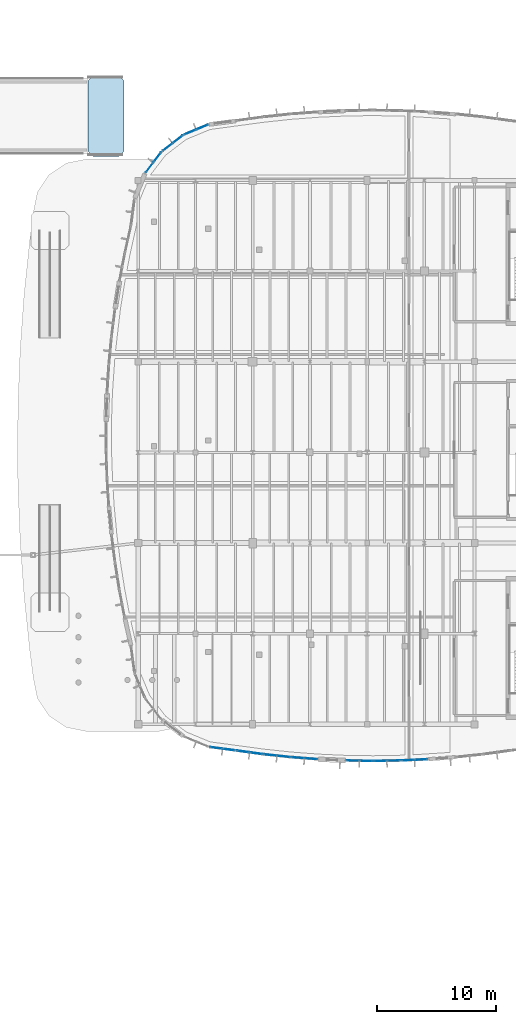
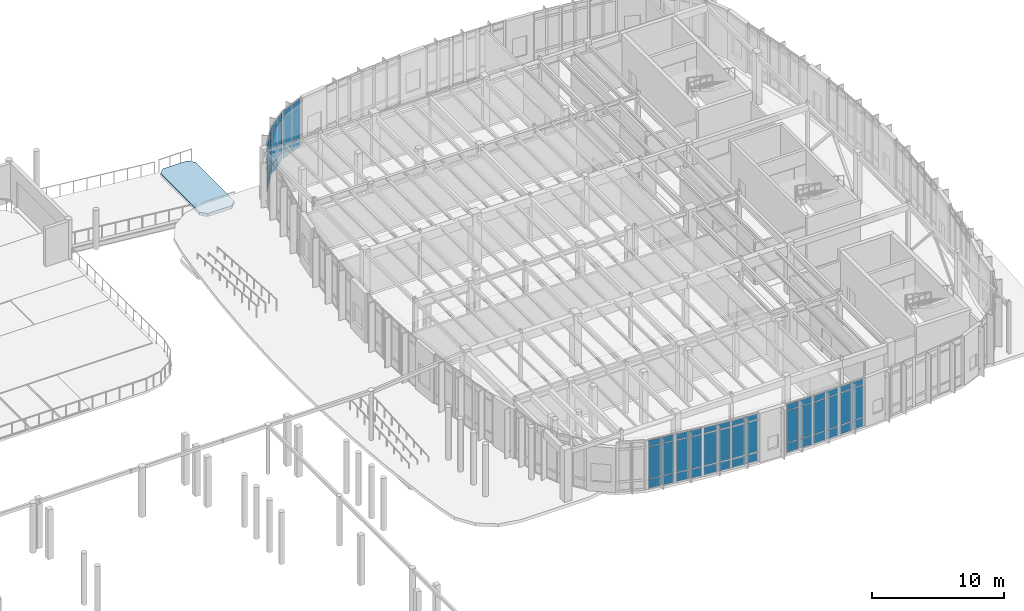
# One storey, part 82 of 120: 60 plates, 1 slab, 10 elements without a shape of their own.
"""IFC4 building model written with IfcOpenShell, lengths in metres."""

from ifc_helpers import new_model, si_unit, direction, frame, origin, origin_2d, place, context, subcontext, project, spatial, polyline, rectangle, outline, extrude, material, layer, layer_set, type_object, element, aggregate, save


model = new_model("IFC4")

# Units and contexts
model_context = context("Model", 3, precision=1e-05, world=origin(), true_north=direction((0.0, 1.0)))
body_context = subcontext(model_context, "Body", "Model", "MODEL_VIEW")
ifc_project = project(units=[si_unit("LENGTHUNIT", "METRE"), si_unit("AREAUNIT", "SQUARE_METRE"), si_unit("VOLUMEUNIT", "CUBIC_METRE"), si_unit("PLANEANGLEUNIT", "RADIAN"), si_unit("MASSUNIT", "GRAM", prefix="KILO")], contexts=[model_context])

# Site, building, storey
site_placement = place(None, origin())
site = spatial("IfcSite", under=ifc_project, at=site_placement, CompositionType="ELEMENT")
building_placement = place(site_placement, origin())
building = spatial("IfcBuilding", under=site, at=building_placement, Name="Corveleigh Park Community Centre", CompositionType="ELEMENT")
storey_placement = place(building_placement, origin())
storey = spatial("IfcBuildingStorey", under=building, at=storey_placement, Name="L00", CompositionType="ELEMENT", Elevation=0.0)

# Curtain wall, plates
ifc_material_1 = material(Name="Anodised aluminium 6063-T6", Category="aluminium")
curtain_wall_type = type_object("IfcCurtainWallType", Name="CW-SYS-V4-L00", PredefinedType="NOTDEFINED", material=ifc_material_1)
curtain_wall_1_placement = place(storey_placement, origin())
curtain_wall_1 = element("IfcCurtainWall", 1, at=curtain_wall_1_placement, inside=storey, type_object=curtain_wall_type, Name="V4 L00 Curtain Wall 109", PredefinedType="NOTDEFINED")
ifc_material_2 = material(Name="Low-E double glazing", Category="glass")
ifc_layer_1 = layer(ifc_material_2, 0.02392578125, Name="Low-E double glazing", Category="glass")
ifc_layer_set_1 = layer_set([ifc_layer_1], Name="Low-E double glazing")
plate_type_1 = type_object("IfcPlateType", Name="CWP-GLZ-24", PredefinedType="CURTAIN_PANEL", material=ifc_layer_set_1)
plate_1_placement = place(storey_placement, frame((141.989501953125, 55.9033203125, 0.074951171875), z_axis=(0.0, 0.0, 1.0), x_axis=(-0.994358586711, 0.106070735992, 0.0)))
plate_1 = element("IfcPlate", 2, at=plate_1_placement, type_object=plate_type_1, Name="CW07 panel 1.1", PredefinedType="CURTAIN_PANEL", context=body_context, shape_type="SweptSolid", body=[
    extrude(rectangle(XDim=1.055419921875, YDim=0.02392578125, at=origin_2d()), origin(), (0.0, 0.0, 1.0), 0.78759765625),
])
plate_2_placement = place(storey_placement, frame((141.989501953125, 55.9033203125, 0.9375), z_axis=(0.0, 0.0, 1.0), x_axis=(-0.994358586711, 0.106070735992, 0.0)))
plate_2 = element("IfcPlate", 3, at=plate_2_placement, type_object=plate_type_1, Name="CW07 panel 1.2", PredefinedType="CURTAIN_PANEL", context=body_context, shape_type="SweptSolid", body=[
    extrude(rectangle(XDim=1.055419921875, YDim=0.02392578125, at=origin_2d()), origin(), (0.0, 0.0, 1.0), 2.912109375),
])
plate_3_placement = place(storey_placement, frame((141.989501953125, 55.9033203125, 3.924560546875), z_axis=(0.0, 0.0, 1.0), x_axis=(-0.994358586711, 0.106070735992, 0.0)))
plate_3 = element("IfcPlate", 4, at=plate_3_placement, type_object=plate_type_1, Name="CW07 panel 1.3", PredefinedType="CURTAIN_PANEL", context=body_context, shape_type="SweptSolid", body=[
    extrude(rectangle(XDim=1.055419921875, YDim=0.02392578125, at=origin_2d()), origin(), (0.0, 0.0, 1.0), 0.53759765625),
])
plate_4_placement = place(storey_placement, frame((140.88037109375, 56.021728515625, 0.074951171875), z_axis=(0.0, 0.0, 1.0), x_axis=(-0.994358586711, 0.106070735992, 0.0)))
plate_4 = element("IfcPlate", 5, at=plate_4_placement, type_object=plate_type_1, Name="CW07 panel 2.1", PredefinedType="CURTAIN_PANEL", context=body_context, shape_type="SweptSolid", body=[
    extrude(rectangle(XDim=1.055419921875, YDim=0.02392578125, at=origin_2d()), origin(), (0.0, 0.0, 1.0), 0.78759765625),
])
plate_5_placement = place(storey_placement, frame((140.88037109375, 56.021728515625, 0.9375), z_axis=(0.0, 0.0, 1.0), x_axis=(-0.994358586711, 0.106070735992, 0.0)))
plate_5 = element("IfcPlate", 6, at=plate_5_placement, type_object=plate_type_1, Name="CW07 panel 2.2", PredefinedType="CURTAIN_PANEL", context=body_context, shape_type="SweptSolid", body=[
    extrude(rectangle(XDim=1.055419921875, YDim=0.02392578125, at=origin_2d()), origin(), (0.0, 0.0, 1.0), 2.912109375),
])
plate_6_placement = place(storey_placement, frame((140.88037109375, 56.021728515625, 3.924560546875), z_axis=(0.0, 0.0, 1.0), x_axis=(-0.994358586711, 0.106070735992, 0.0)))
plate_6 = element("IfcPlate", 7, at=plate_6_placement, type_object=plate_type_1, Name="CW07 panel 2.3", PredefinedType="CURTAIN_PANEL", context=body_context, shape_type="SweptSolid", body=[
    extrude(rectangle(XDim=1.055419921875, YDim=0.02392578125, at=origin_2d()), origin(), (0.0, 0.0, 1.0), 0.53759765625),
])
aggregate(curtain_wall_1, [plate_1, plate_2, plate_3, plate_4, plate_5, plate_6])

curtain_wall_2_placement = place(storey_placement, origin())
curtain_wall_2 = element("IfcCurtainWall", 8, at=curtain_wall_2_placement, inside=storey, type_object=curtain_wall_type, Name="V4 L00 Curtain Wall 110", PredefinedType="NOTDEFINED")
plate_7_placement = place(storey_placement, frame((144.288818359375, 55.71044921875, 0.080078125), z_axis=(0.0, 0.0, 1.0), x_axis=(-0.997143684467, 0.075527958586, 0.0)))
plate_7 = element("IfcPlate", 9, at=plate_7_placement, type_object=plate_type_1, Name="CW07 panel 1.1", PredefinedType="CURTAIN_PANEL", context=body_context, shape_type="SweptSolid", body=[
    extrude(rectangle(XDim=1.0478515625, YDim=0.02392578125, at=origin_2d()), origin(), (0.0, 0.0, 1.0), 0.780029296875),
])
plate_8_placement = place(storey_placement, frame((144.288818359375, 55.71044921875, 0.93994140625), z_axis=(0.0, 0.0, 1.0), x_axis=(-0.997143684467, 0.075527958586, 0.0)))
plate_8 = element("IfcPlate", 10, at=plate_8_placement, type_object=plate_type_1, Name="CW07 panel 1.2", PredefinedType="CURTAIN_PANEL", context=body_context, shape_type="SweptSolid", body=[
    extrude(rectangle(XDim=1.0478515625, YDim=0.02392578125, at=origin_2d()), origin(), (0.0, 0.0, 1.0), 2.906982421875),
])
plate_9_placement = place(storey_placement, frame((144.288818359375, 55.71044921875, 3.9267578125), z_axis=(0.0, 0.0, 1.0), x_axis=(-0.997143684467, 0.075527958586, 0.0)))
plate_9 = element("IfcPlate", 11, at=plate_9_placement, type_object=plate_type_1, Name="CW07 panel 1.3", PredefinedType="CURTAIN_PANEL", context=body_context, shape_type="SweptSolid", body=[
    extrude(rectangle(XDim=1.0478515625, YDim=0.02392578125, at=origin_2d()), origin(), (0.0, 0.0, 1.0), 0.530029296875),
])
plate_10_placement = place(storey_placement, frame((143.17919921875, 55.79443359375, 0.080078125), z_axis=(0.0, 0.0, 1.0), x_axis=(-0.997143684467, 0.075527958586, 0.0)))
plate_10 = element("IfcPlate", 12, at=plate_10_placement, type_object=plate_type_1, Name="CW07 panel 2.1", PredefinedType="CURTAIN_PANEL", context=body_context, shape_type="SweptSolid", body=[
    extrude(rectangle(XDim=1.0478515625, YDim=0.02392578125, at=origin_2d()), origin(), (0.0, 0.0, 1.0), 0.780029296875),
])
plate_11_placement = place(storey_placement, frame((143.17919921875, 55.79443359375, 0.93994140625), z_axis=(0.0, 0.0, 1.0), x_axis=(-0.997143684467, 0.075527958586, 0.0)))
plate_11 = element("IfcPlate", 13, at=plate_11_placement, type_object=plate_type_1, Name="CW07 panel 2.2", PredefinedType="CURTAIN_PANEL", context=body_context, shape_type="SweptSolid", body=[
    extrude(rectangle(XDim=1.0478515625, YDim=0.02392578125, at=origin_2d()), origin(), (0.0, 0.0, 1.0), 2.906982421875),
])
plate_12_placement = place(storey_placement, frame((143.17919921875, 55.79443359375, 3.9267578125), z_axis=(0.0, 0.0, 1.0), x_axis=(-0.997143684467, 0.075527958586, 0.0)))
plate_12 = element("IfcPlate", 14, at=plate_12_placement, type_object=plate_type_1, Name="CW07 panel 2.3", PredefinedType="CURTAIN_PANEL", context=body_context, shape_type="SweptSolid", body=[
    extrude(rectangle(XDim=1.0478515625, YDim=0.02392578125, at=origin_2d()), origin(), (0.0, 0.0, 1.0), 0.530029296875),
])
aggregate(curtain_wall_2, [plate_7, plate_8, plate_9, plate_10, plate_11, plate_12])

curtain_wall_3_placement = place(storey_placement, origin())
curtain_wall_3 = element("IfcCurtainWall", 15, at=curtain_wall_3_placement, inside=storey, type_object=curtain_wall_type, Name="V4 L00 Curtain Wall 111", PredefinedType="NOTDEFINED")
ifc_layer_2 = layer(ifc_material_2, 0.028076171875, Name="Low-E double glazing", Category="glass")
ifc_layer_set_2 = layer_set([ifc_layer_2], Name="Low-E double glazing")
plate_type_2 = type_object("IfcPlateType", Name="CWP-GLZ-28", PredefinedType="CURTAIN_PANEL", material=ifc_layer_set_2)
plate_13_placement = place(storey_placement, frame((148.900634765625, 55.533203125, 0.06005859375), z_axis=(0.0, 0.0, 1.0), x_axis=(-0.999876563269, 0.01571172252, 0.0)))
plate_13 = element("IfcPlate", 16, at=plate_13_placement, type_object=plate_type_2, Name="CW07 panel 1.1", PredefinedType="CURTAIN_PANEL", context=body_context, shape_type="SweptSolid", body=[
    extrude(rectangle(XDim=1.04052734375, YDim=0.028076171875, at=origin_2d()), origin(), (0.0, 0.0, 1.0), 0.81005859375),
])
plate_14_placement = place(storey_placement, frame((148.900634765625, 55.533203125, 0.93017578125), z_axis=(0.0, 0.0, 1.0), x_axis=(-0.999876563269, 0.01571172252, 0.0)))
plate_14 = element("IfcPlate", 17, at=plate_14_placement, type_object=plate_type_2, Name="CW07 panel 1.2", PredefinedType="CURTAIN_PANEL", context=body_context, shape_type="SweptSolid", body=[
    extrude(rectangle(XDim=1.04052734375, YDim=0.028076171875, at=origin_2d()), origin(), (0.0, 0.0, 1.0), 2.927001953125),
])
plate_15_placement = place(storey_placement, frame((148.900634765625, 55.533203125, 3.9169921875), z_axis=(0.0, 0.0, 1.0), x_axis=(-0.999876563269, 0.01571172252, 0.0)))
plate_15 = element("IfcPlate", 18, at=plate_15_placement, type_object=plate_type_2, Name="CW07 panel 1.3", PredefinedType="CURTAIN_PANEL", context=body_context, shape_type="SweptSolid", body=[
    extrude(rectangle(XDim=1.04052734375, YDim=0.028076171875, at=origin_2d()), origin(), (0.0, 0.0, 1.0), 0.56005859375),
])
plate_16_placement = place(storey_placement, frame((147.790283203125, 55.55078125, 0.06005859375), z_axis=(0.0, 0.0, 1.0), x_axis=(-0.999876563269, 0.01571172252, 0.0)))
plate_16 = element("IfcPlate", 19, at=plate_16_placement, type_object=plate_type_2, Name="CW07 panel 2.1", PredefinedType="CURTAIN_PANEL", context=body_context, shape_type="SweptSolid", body=[
    extrude(rectangle(XDim=1.04052734375, YDim=0.028076171875, at=origin_2d()), origin(), (0.0, 0.0, 1.0), 0.81005859375),
])
plate_17_placement = place(storey_placement, frame((147.790283203125, 55.55078125, 0.93017578125), z_axis=(0.0, 0.0, 1.0), x_axis=(-0.999876563269, 0.01571172252, 0.0)))
plate_17 = element("IfcPlate", 20, at=plate_17_placement, type_object=plate_type_2, Name="CW07 panel 2.2", PredefinedType="CURTAIN_PANEL", context=body_context, shape_type="SweptSolid", body=[
    extrude(rectangle(XDim=1.04052734375, YDim=0.028076171875, at=origin_2d()), origin(), (0.0, 0.0, 1.0), 2.927001953125),
])
plate_18_placement = place(storey_placement, frame((147.790283203125, 55.55078125, 3.9169921875), z_axis=(0.0, 0.0, 1.0), x_axis=(-0.999876563269, 0.01571172252, 0.0)))
plate_18 = element("IfcPlate", 21, at=plate_18_placement, type_object=plate_type_2, Name="CW07 panel 2.3", PredefinedType="CURTAIN_PANEL", context=body_context, shape_type="SweptSolid", body=[
    extrude(rectangle(XDim=1.04052734375, YDim=0.028076171875, at=origin_2d()), origin(), (0.0, 0.0, 1.0), 0.56005859375),
])
aggregate(curtain_wall_3, [plate_13, plate_14, plate_15, plate_16, plate_17, plate_18])

curtain_wall_4_placement = place(storey_placement, origin())
curtain_wall_4 = element("IfcCurtainWall", 22, at=curtain_wall_4_placement, inside=storey, type_object=curtain_wall_type, Name="V4 L00 Curtain Wall 112", PredefinedType="NOTDEFINED")
plate_19_placement = place(storey_placement, frame((151.20849609375, 55.55078125, 0.06494140625), z_axis=(0.0, 0.0, 1.0), x_axis=(-0.999876563269, -0.01571172252, 0.0)))
plate_19 = element("IfcPlate", 23, at=plate_19_placement, type_object=plate_type_2, Name="CW07 panel 1.1", PredefinedType="CURTAIN_PANEL", context=body_context, shape_type="SweptSolid", body=[
    extrude(rectangle(XDim=1.033203125, YDim=0.028076171875, at=origin_2d()), origin(), (0.0, 0.0, 1.0), 0.802490234375),
])
plate_20_placement = place(storey_placement, frame((151.20849609375, 55.55078125, 0.9326171875), z_axis=(0.0, 0.0, 1.0), x_axis=(-0.999876563269, -0.01571172252, 0.0)))
plate_20 = element("IfcPlate", 24, at=plate_20_placement, type_object=plate_type_2, Name="CW07 panel 1.2", PredefinedType="CURTAIN_PANEL", context=body_context, shape_type="SweptSolid", body=[
    extrude(rectangle(XDim=1.033203125, YDim=0.028076171875, at=origin_2d()), origin(), (0.0, 0.0, 1.0), 2.922119140625),
])
plate_21_placement = place(storey_placement, frame((151.20849609375, 55.55078125, 3.91943359375), z_axis=(0.0, 0.0, 1.0), x_axis=(-0.999876563269, -0.01571172252, 0.0)))
plate_21 = element("IfcPlate", 25, at=plate_21_placement, type_object=plate_type_2, Name="CW07 panel 1.3", PredefinedType="CURTAIN_PANEL", context=body_context, shape_type="SweptSolid", body=[
    extrude(rectangle(XDim=1.033203125, YDim=0.028076171875, at=origin_2d()), origin(), (0.0, 0.0, 1.0), 0.552490234375),
])
plate_22_placement = place(storey_placement, frame((150.1005859375, 55.533203125, 0.06494140625), z_axis=(0.0, 0.0, 1.0), x_axis=(-0.999876563269, -0.01571172252, 0.0)))
plate_22 = element("IfcPlate", 26, at=plate_22_placement, type_object=plate_type_2, Name="CW07 panel 2.1", PredefinedType="CURTAIN_PANEL", context=body_context, shape_type="SweptSolid", body=[
    extrude(rectangle(XDim=1.033203125, YDim=0.028076171875, at=origin_2d()), origin(), (0.0, 0.0, 1.0), 0.802490234375),
])
plate_23_placement = place(storey_placement, frame((150.1005859375, 55.533203125, 0.9326171875), z_axis=(0.0, 0.0, 1.0), x_axis=(-0.999876563269, -0.01571172252, 0.0)))
plate_23 = element("IfcPlate", 27, at=plate_23_placement, type_object=plate_type_2, Name="CW07 panel 2.2", PredefinedType="CURTAIN_PANEL", context=body_context, shape_type="SweptSolid", body=[
    extrude(rectangle(XDim=1.033203125, YDim=0.028076171875, at=origin_2d()), origin(), (0.0, 0.0, 1.0), 2.922119140625),
])
plate_24_placement = place(storey_placement, frame((150.1005859375, 55.533203125, 3.91943359375), z_axis=(0.0, 0.0, 1.0), x_axis=(-0.999876563269, -0.01571172252, 0.0)))
plate_24 = element("IfcPlate", 28, at=plate_24_placement, type_object=plate_type_2, Name="CW07 panel 2.3", PredefinedType="CURTAIN_PANEL", context=body_context, shape_type="SweptSolid", body=[
    extrude(rectangle(XDim=1.033203125, YDim=0.028076171875, at=origin_2d()), origin(), (0.0, 0.0, 1.0), 0.552490234375),
])
aggregate(curtain_wall_4, [plate_19, plate_20, plate_21, plate_22, plate_23, plate_24])

curtain_wall_5_placement = place(storey_placement, origin())
curtain_wall_5 = element("IfcCurtainWall", 29, at=curtain_wall_5_placement, inside=storey, type_object=curtain_wall_type, Name="V4 L00 Curtain Wall 113", PredefinedType="NOTDEFINED")
ifc_layer_3 = layer(ifc_material_2, 0.031982421875, Name="Low-E double glazing", Category="glass")
ifc_layer_set_3 = layer_set([ifc_layer_3], Name="Low-E double glazing")
plate_type_3 = type_object("IfcPlateType", Name="CWP-GLZ-32", PredefinedType="CURTAIN_PANEL", material=ifc_layer_set_3)
plate_25_placement = place(storey_placement, frame((153.513916015625, 55.637939453125, 0.070068359375), z_axis=(0.0, 0.0, 1.0), x_axis=(-0.998948640502, -0.045843359805, 0.0)))
plate_25 = element("IfcPlate", 30, at=plate_25_placement, type_object=plate_type_3, Name="CW07 panel 1.1", PredefinedType="CURTAIN_PANEL", context=body_context, shape_type="SweptSolid", body=[
    extrude(rectangle(XDim=1.025146484375, YDim=0.031982421875, at=origin_2d()), origin(), (0.0, 0.0, 1.0), 0.794921875),
])
plate_26_placement = place(storey_placement, frame((153.513916015625, 55.637939453125, 0.93505859375), z_axis=(0.0, 0.0, 1.0), x_axis=(-0.998948640502, -0.045843359805, 0.0)))
plate_26 = element("IfcPlate", 31, at=plate_26_placement, type_object=plate_type_3, Name="CW07 panel 1.2", PredefinedType="CURTAIN_PANEL", context=body_context, shape_type="SweptSolid", body=[
    extrude(rectangle(XDim=1.025146484375, YDim=0.031982421875, at=origin_2d()), origin(), (0.0, 0.0, 1.0), 2.9169921875),
])
plate_27_placement = place(storey_placement, frame((153.513916015625, 55.637939453125, 3.922119140625), z_axis=(0.0, 0.0, 1.0), x_axis=(-0.998948640502, -0.045843359805, 0.0)))
plate_27 = element("IfcPlate", 32, at=plate_27_placement, type_object=plate_type_3, Name="CW07 panel 1.3", PredefinedType="CURTAIN_PANEL", context=body_context, shape_type="SweptSolid", body=[
    extrude(rectangle(XDim=1.025146484375, YDim=0.031982421875, at=origin_2d()), origin(), (0.0, 0.0, 1.0), 0.544921875),
])
plate_28_placement = place(storey_placement, frame((152.409912109375, 55.587158203125, 0.070068359375), z_axis=(0.0, 0.0, 1.0), x_axis=(-0.998948640502, -0.045843359805, 0.0)))
plate_28 = element("IfcPlate", 33, at=plate_28_placement, type_object=plate_type_3, Name="CW07 panel 2.1", PredefinedType="CURTAIN_PANEL", context=body_context, shape_type="SweptSolid", body=[
    extrude(rectangle(XDim=1.025146484375, YDim=0.031982421875, at=origin_2d()), origin(), (0.0, 0.0, 1.0), 0.794921875),
])
plate_29_placement = place(storey_placement, frame((152.409912109375, 55.587158203125, 0.93505859375), z_axis=(0.0, 0.0, 1.0), x_axis=(-0.998948640502, -0.045843359805, 0.0)))
plate_29 = element("IfcPlate", 34, at=plate_29_placement, type_object=plate_type_3, Name="CW07 panel 2.2", PredefinedType="CURTAIN_PANEL", context=body_context, shape_type="SweptSolid", body=[
    extrude(rectangle(XDim=1.025146484375, YDim=0.031982421875, at=origin_2d()), origin(), (0.0, 0.0, 1.0), 2.9169921875),
])
plate_30_placement = place(storey_placement, frame((152.409912109375, 55.587158203125, 3.922119140625), z_axis=(0.0, 0.0, 1.0), x_axis=(-0.998948640502, -0.045843359805, 0.0)))
plate_30 = element("IfcPlate", 35, at=plate_30_placement, type_object=plate_type_3, Name="CW07 panel 2.3", PredefinedType="CURTAIN_PANEL", context=body_context, shape_type="SweptSolid", body=[
    extrude(rectangle(XDim=1.025146484375, YDim=0.031982421875, at=origin_2d()), origin(), (0.0, 0.0, 1.0), 0.544921875),
])
aggregate(curtain_wall_5, [plate_25, plate_26, plate_27, plate_28, plate_29, plate_30])

curtain_wall_6_placement = place(storey_placement, origin())
curtain_wall_6 = element("IfcCurtainWall", 36, at=curtain_wall_6_placement, inside=storey, type_object=curtain_wall_type, Name="V4 L00 Curtain Wall 161", PredefinedType="NOTDEFINED")
plate_31_placement = place(storey_placement, frame((137.413330078125, 56.477294921875, 0.06005859375), z_axis=(0.0, 0.0, 1.0), x_axis=(-0.991431673383, 0.130626325881, 0.0)))
plate_31 = element("IfcPlate", 37, at=plate_31_placement, type_object=plate_type_3, Name="CW07 panel 1.1", PredefinedType="CURTAIN_PANEL", context=body_context, shape_type="SweptSolid", body=[
    extrude(rectangle(XDim=1.00927734375, YDim=0.031982421875, at=origin_2d()), origin(), (0.0, 0.0, 1.0), 0.81005859375),
])
plate_32_placement = place(storey_placement, frame((137.413330078125, 56.477294921875, 0.93017578125), z_axis=(0.0, 0.0, 1.0), x_axis=(-0.991431673383, 0.130626325881, 0.0)))
plate_32 = element("IfcPlate", 38, at=plate_32_placement, type_object=plate_type_3, Name="CW07 panel 1.2", PredefinedType="CURTAIN_PANEL", context=body_context, shape_type="SweptSolid", body=[
    extrude(rectangle(XDim=1.00927734375, YDim=0.031982421875, at=origin_2d()), origin(), (0.0, 0.0, 1.0), 2.927001953125),
])
plate_33_placement = place(storey_placement, frame((137.413330078125, 56.477294921875, 3.9169921875), z_axis=(0.0, 0.0, 1.0), x_axis=(-0.991431673383, 0.130626325881, 0.0)))
plate_33 = element("IfcPlate", 39, at=plate_33_placement, type_object=plate_type_3, Name="CW07 panel 1.3", PredefinedType="CURTAIN_PANEL", context=body_context, shape_type="SweptSolid", body=[
    extrude(rectangle(XDim=1.00927734375, YDim=0.031982421875, at=origin_2d()), origin(), (0.0, 0.0, 1.0), 0.56005859375),
])
plate_34_placement = place(storey_placement, frame((136.33349609375, 56.61962890625, 0.06005859375), z_axis=(0.0, 0.0, 1.0), x_axis=(-0.991431673383, 0.130626325881, 0.0)))
plate_34 = element("IfcPlate", 40, at=plate_34_placement, type_object=plate_type_3, Name="CW07 panel 2.1", PredefinedType="CURTAIN_PANEL", context=body_context, shape_type="SweptSolid", body=[
    extrude(rectangle(XDim=1.00927734375, YDim=0.031982421875, at=origin_2d()), origin(), (0.0, 0.0, 1.0), 0.81005859375),
])
plate_35_placement = place(storey_placement, frame((136.33349609375, 56.61962890625, 0.93017578125), z_axis=(0.0, 0.0, 1.0), x_axis=(-0.991431673383, 0.130626325881, 0.0)))
plate_35 = element("IfcPlate", 41, at=plate_35_placement, type_object=plate_type_3, Name="CW07 panel 2.2", PredefinedType="CURTAIN_PANEL", context=body_context, shape_type="SweptSolid", body=[
    extrude(rectangle(XDim=1.00927734375, YDim=0.031982421875, at=origin_2d()), origin(), (0.0, 0.0, 1.0), 2.927001953125),
])
plate_36_placement = place(storey_placement, frame((136.33349609375, 56.61962890625, 3.9169921875), z_axis=(0.0, 0.0, 1.0), x_axis=(-0.991431673383, 0.130626325881, 0.0)))
plate_36 = element("IfcPlate", 42, at=plate_36_placement, type_object=plate_type_3, Name="CW07 panel 2.3", PredefinedType="CURTAIN_PANEL", context=body_context, shape_type="SweptSolid", body=[
    extrude(rectangle(XDim=1.00927734375, YDim=0.031982421875, at=origin_2d()), origin(), (0.0, 0.0, 1.0), 0.56005859375),
])
aggregate(curtain_wall_6, [plate_31, plate_32, plate_33, plate_34, plate_35, plate_36])

curtain_wall_7_placement = place(storey_placement, origin())
curtain_wall_7 = element("IfcCurtainWall", 43, at=curtain_wall_7_placement, inside=storey, type_object=curtain_wall_type, Name="V4 L00 Curtain Wall 142", PredefinedType="NOTDEFINED")
ifc_layer_4 = layer(ifc_material_2, 0.0400390625, Name="Low-E double glazing", Category="glass")
ifc_layer_set_4 = layer_set([ifc_layer_4], Name="Low-E double glazing")
plate_type_4 = type_object("IfcPlateType", Name="CWP-GLZ-40", PredefinedType="CURTAIN_PANEL", material=ifc_layer_set_4)
plate_37_placement = place(storey_placement, frame((134.162841796875, 108.25390625, 0.06494140625), z_axis=(0.0, 0.0, 1.0), x_axis=(0.923738247695, 0.383024346152, 0.0)))
plate_37 = element("IfcPlate", 44, at=plate_37_placement, type_object=plate_type_4, Name="CW07 panel 1.1", PredefinedType="CURTAIN_PANEL", context=body_context, shape_type="SweptSolid", body=[
    extrude(rectangle(XDim=1.003662109375, YDim=0.0400390625, at=origin_2d()), origin(), (0.0, 0.0, 1.0), 0.802490234375),
])
plate_38_placement = place(storey_placement, frame((134.162841796875, 108.25390625, 0.9326171875), z_axis=(0.0, 0.0, 1.0), x_axis=(0.923738247695, 0.383024346152, 0.0)))
plate_38 = element("IfcPlate", 45, at=plate_38_placement, type_object=plate_type_4, Name="CW07 panel 1.2", PredefinedType="CURTAIN_PANEL", context=body_context, shape_type="SweptSolid", body=[
    extrude(rectangle(XDim=1.003662109375, YDim=0.0400390625, at=origin_2d()), origin(), (0.0, 0.0, 1.0), 2.922119140625),
])
plate_39_placement = place(storey_placement, frame((134.162841796875, 108.25390625, 3.91943359375), z_axis=(0.0, 0.0, 1.0), x_axis=(0.923738247695, 0.383024346152, 0.0)))
plate_39 = element("IfcPlate", 46, at=plate_39_placement, type_object=plate_type_4, Name="CW07 panel 1.3", PredefinedType="CURTAIN_PANEL", context=body_context, shape_type="SweptSolid", body=[
    extrude(rectangle(XDim=1.003662109375, YDim=0.0400390625, at=origin_2d()), origin(), (0.0, 0.0, 1.0), 0.552490234375),
])
plate_40_placement = place(storey_placement, frame((135.1591796875, 108.6669921875, 0.06494140625), z_axis=(0.0, 0.0, 1.0), x_axis=(0.923738247695, 0.383024346152, 0.0)))
plate_40 = element("IfcPlate", 47, at=plate_40_placement, type_object=plate_type_4, Name="CW07 panel 2.1", PredefinedType="CURTAIN_PANEL", context=body_context, shape_type="SweptSolid", body=[
    extrude(rectangle(XDim=1.003662109375, YDim=0.0400390625, at=origin_2d()), origin(), (0.0, 0.0, 1.0), 0.802490234375),
])
plate_41_placement = place(storey_placement, frame((135.1591796875, 108.6669921875, 0.9326171875), z_axis=(0.0, 0.0, 1.0), x_axis=(0.923738247695, 0.383024346152, 0.0)))
plate_41 = element("IfcPlate", 48, at=plate_41_placement, type_object=plate_type_4, Name="CW07 panel 2.2", PredefinedType="CURTAIN_PANEL", context=body_context, shape_type="SweptSolid", body=[
    extrude(rectangle(XDim=1.003662109375, YDim=0.0400390625, at=origin_2d()), origin(), (0.0, 0.0, 1.0), 2.922119140625),
])
plate_42_placement = place(storey_placement, frame((135.1591796875, 108.6669921875, 3.91943359375), z_axis=(0.0, 0.0, 1.0), x_axis=(0.923738247695, 0.383024346152, 0.0)))
plate_42 = element("IfcPlate", 49, at=plate_42_placement, type_object=plate_type_4, Name="CW07 panel 2.3", PredefinedType="CURTAIN_PANEL", context=body_context, shape_type="SweptSolid", body=[
    extrude(rectangle(XDim=1.003662109375, YDim=0.0400390625, at=origin_2d()), origin(), (0.0, 0.0, 1.0), 0.552490234375),
])
aggregate(curtain_wall_7, [plate_37, plate_38, plate_39, plate_40, plate_41, plate_42])

curtain_wall_8_placement = place(storey_placement, origin())
curtain_wall_8 = element("IfcCurtainWall", 50, at=curtain_wall_8_placement, inside=storey, type_object=curtain_wall_type, Name="V4 L00 Curtain Wall 108", PredefinedType="NOTDEFINED")
ifc_layer_5 = layer(ifc_material_2, 0.0439453125, Name="Low-E double glazing", Category="glass")
ifc_layer_set_5 = layer_set([ifc_layer_5], Name="Low-E double glazing")
plate_type_5 = type_object("IfcPlateType", Name="CWP-GLZ-44", PredefinedType="CURTAIN_PANEL", material=ifc_layer_set_5)
plate_43_placement = place(storey_placement, frame((139.689208984375, 56.167236328125, 0.070068359375), z_axis=(0.0, 0.0, 1.0), x_axis=(-0.990635375791, 0.136534069852, 0.0)))
plate_43 = element("IfcPlate", 51, at=plate_43_placement, type_object=plate_type_5, Name="CW07 panel 1.1", PredefinedType="CURTAIN_PANEL", context=body_context, shape_type="SweptSolid", body=[
    extrude(rectangle(XDim=1.018798828125, YDim=0.0439453125, at=origin_2d()), origin(), (0.0, 0.0, 1.0), 0.794921875),
])
plate_44_placement = place(storey_placement, frame((139.689208984375, 56.167236328125, 0.93505859375), z_axis=(0.0, 0.0, 1.0), x_axis=(-0.990635375791, 0.136534069852, 0.0)))
plate_44 = element("IfcPlate", 52, at=plate_44_placement, type_object=plate_type_5, Name="CW07 panel 1.2", PredefinedType="CURTAIN_PANEL", context=body_context, shape_type="SweptSolid", body=[
    extrude(rectangle(XDim=1.018798828125, YDim=0.0439453125, at=origin_2d()), origin(), (0.0, 0.0, 1.0), 2.9169921875),
])
plate_45_placement = place(storey_placement, frame((139.689208984375, 56.167236328125, 3.922119140625), z_axis=(0.0, 0.0, 1.0), x_axis=(-0.990635375791, 0.136534069852, 0.0)))
plate_45 = element("IfcPlate", 53, at=plate_45_placement, type_object=plate_type_5, Name="CW07 panel 1.3", PredefinedType="CURTAIN_PANEL", context=body_context, shape_type="SweptSolid", body=[
    extrude(rectangle(XDim=1.018798828125, YDim=0.0439453125, at=origin_2d()), origin(), (0.0, 0.0, 1.0), 0.544921875),
])
plate_46_placement = place(storey_placement, frame((138.595703125, 56.31787109375, 0.070068359375), z_axis=(0.0, 0.0, 1.0), x_axis=(-0.990635375791, 0.136534069852, 0.0)))
plate_46 = element("IfcPlate", 54, at=plate_46_placement, type_object=plate_type_5, Name="CW07 panel 2.1", PredefinedType="CURTAIN_PANEL", context=body_context, shape_type="SweptSolid", body=[
    extrude(rectangle(XDim=1.018798828125, YDim=0.0439453125, at=origin_2d()), origin(), (0.0, 0.0, 1.0), 0.794921875),
])
plate_47_placement = place(storey_placement, frame((138.595703125, 56.31787109375, 0.93505859375), z_axis=(0.0, 0.0, 1.0), x_axis=(-0.990635375791, 0.136534069852, 0.0)))
plate_47 = element("IfcPlate", 55, at=plate_47_placement, type_object=plate_type_5, Name="CW07 panel 2.2", PredefinedType="CURTAIN_PANEL", context=body_context, shape_type="SweptSolid", body=[
    extrude(rectangle(XDim=1.018798828125, YDim=0.0439453125, at=origin_2d()), origin(), (0.0, 0.0, 1.0), 2.9169921875),
])
plate_48_placement = place(storey_placement, frame((138.595703125, 56.31787109375, 3.922119140625), z_axis=(0.0, 0.0, 1.0), x_axis=(-0.990635375791, 0.136534069852, 0.0)))
plate_48 = element("IfcPlate", 56, at=plate_48_placement, type_object=plate_type_5, Name="CW07 panel 2.3", PredefinedType="CURTAIN_PANEL", context=body_context, shape_type="SweptSolid", body=[
    extrude(rectangle(XDim=1.018798828125, YDim=0.0439453125, at=origin_2d()), origin(), (0.0, 0.0, 1.0), 0.544921875),
])
aggregate(curtain_wall_8, [plate_43, plate_44, plate_45, plate_46, plate_47, plate_48])

curtain_wall_9_placement = place(storey_placement, origin())
curtain_wall_9 = element("IfcCurtainWall", 57, at=curtain_wall_9_placement, inside=storey, type_object=curtain_wall_type, Name="V4 L00 Curtain Wall 143", PredefinedType="NOTDEFINED")
plate_49_placement = place(storey_placement, frame((132.26123046875, 106.994140625, 0.070068359375), z_axis=(0.0, 0.0, 1.0), x_axis=(0.79345507523, 0.608628822511, 0.0)))
plate_49 = element("IfcPlate", 58, at=plate_49_placement, type_object=plate_type_5, Name="CW07 panel 1.1", PredefinedType="CURTAIN_PANEL", context=body_context, shape_type="SweptSolid", body=[
    extrude(rectangle(XDim=0.997314453125, YDim=0.0439453125, at=origin_2d()), origin(), (0.0, 0.0, 1.0), 0.794921875),
])
plate_50_placement = place(storey_placement, frame((132.26123046875, 106.994140625, 0.93505859375), z_axis=(0.0, 0.0, 1.0), x_axis=(0.79345507523, 0.608628822511, 0.0)))
plate_50 = element("IfcPlate", 59, at=plate_50_placement, type_object=plate_type_5, Name="CW07 panel 1.2", PredefinedType="CURTAIN_PANEL", context=body_context, shape_type="SweptSolid", body=[
    extrude(rectangle(XDim=0.997314453125, YDim=0.0439453125, at=origin_2d()), origin(), (0.0, 0.0, 1.0), 2.9169921875),
])
plate_51_placement = place(storey_placement, frame((132.26123046875, 106.994140625, 3.922119140625), z_axis=(0.0, 0.0, 1.0), x_axis=(0.79345507523, 0.608628822511, 0.0)))
plate_51 = element("IfcPlate", 60, at=plate_51_placement, type_object=plate_type_5, Name="CW07 panel 1.3", PredefinedType="CURTAIN_PANEL", context=body_context, shape_type="SweptSolid", body=[
    extrude(rectangle(XDim=0.997314453125, YDim=0.0439453125, at=origin_2d()), origin(), (0.0, 0.0, 1.0), 0.544921875),
])
plate_52_placement = place(storey_placement, frame((133.115966796875, 107.64990234375, 0.070068359375), z_axis=(0.0, 0.0, 1.0), x_axis=(0.79345507523, 0.608628822511, 0.0)))
plate_52 = element("IfcPlate", 61, at=plate_52_placement, type_object=plate_type_5, Name="CW07 panel 2.1", PredefinedType="CURTAIN_PANEL", context=body_context, shape_type="SweptSolid", body=[
    extrude(rectangle(XDim=0.997314453125, YDim=0.0439453125, at=origin_2d()), origin(), (0.0, 0.0, 1.0), 0.794921875),
])
plate_53_placement = place(storey_placement, frame((133.115966796875, 107.64990234375, 0.93505859375), z_axis=(0.0, 0.0, 1.0), x_axis=(0.79345507523, 0.608628822511, 0.0)))
plate_53 = element("IfcPlate", 62, at=plate_53_placement, type_object=plate_type_5, Name="CW07 panel 2.2", PredefinedType="CURTAIN_PANEL", context=body_context, shape_type="SweptSolid", body=[
    extrude(rectangle(XDim=0.997314453125, YDim=0.0439453125, at=origin_2d()), origin(), (0.0, 0.0, 1.0), 2.9169921875),
])
plate_54_placement = place(storey_placement, frame((133.115966796875, 107.64990234375, 3.922119140625), z_axis=(0.0, 0.0, 1.0), x_axis=(0.79345507523, 0.608628822511, 0.0)))
plate_54 = element("IfcPlate", 63, at=plate_54_placement, type_object=plate_type_5, Name="CW07 panel 2.3", PredefinedType="CURTAIN_PANEL", context=body_context, shape_type="SweptSolid", body=[
    extrude(rectangle(XDim=0.997314453125, YDim=0.0439453125, at=origin_2d()), origin(), (0.0, 0.0, 1.0), 0.544921875),
])
aggregate(curtain_wall_9, [plate_49, plate_50, plate_51, plate_52, plate_53, plate_54])

curtain_wall_10_placement = place(storey_placement, origin())
curtain_wall_10 = element("IfcCurtainWall", 64, at=curtain_wall_10_placement, inside=storey, type_object=curtain_wall_type, Name="V4 L00 Curtain Wall 144", PredefinedType="NOTDEFINED")
plate_55_placement = place(storey_placement, frame((130.7509765625, 105.28515625, 0.074951171875), z_axis=(0.0, 0.0, 1.0), x_axis=(0.608628822511, 0.79345507523, 0.0)))
plate_55 = element("IfcPlate", 65, at=plate_55_placement, type_object=plate_type_5, Name="CW07 panel 1.1", PredefinedType="CURTAIN_PANEL", context=body_context, shape_type="SweptSolid", body=[
    extrude(rectangle(XDim=0.98974609375, YDim=0.0439453125, at=origin_2d()), origin(), (0.0, 0.0, 1.0), 0.78759765625),
])
plate_56_placement = place(storey_placement, frame((130.7509765625, 105.28515625, 0.9375), z_axis=(0.0, 0.0, 1.0), x_axis=(0.608628822511, 0.79345507523, 0.0)))
plate_56 = element("IfcPlate", 66, at=plate_56_placement, type_object=plate_type_5, Name="CW07 panel 1.2", PredefinedType="CURTAIN_PANEL", context=body_context, shape_type="SweptSolid", body=[
    extrude(rectangle(XDim=0.98974609375, YDim=0.0439453125, at=origin_2d()), origin(), (0.0, 0.0, 1.0), 2.912109375),
])
plate_57_placement = place(storey_placement, frame((130.7509765625, 105.28515625, 3.924560546875), z_axis=(0.0, 0.0, 1.0), x_axis=(0.608628822511, 0.79345507523, 0.0)))
plate_57 = element("IfcPlate", 67, at=plate_57_placement, type_object=plate_type_5, Name="CW07 panel 1.3", PredefinedType="CURTAIN_PANEL", context=body_context, shape_type="SweptSolid", body=[
    extrude(rectangle(XDim=0.98974609375, YDim=0.0439453125, at=origin_2d()), origin(), (0.0, 0.0, 1.0), 0.53759765625),
])
plate_58_placement = place(storey_placement, frame((131.405029296875, 106.137939453125, 0.074951171875), z_axis=(0.0, 0.0, 1.0), x_axis=(0.608628822511, 0.79345507523, 0.0)))
plate_58 = element("IfcPlate", 68, at=plate_58_placement, type_object=plate_type_5, Name="CW07 panel 2.1", PredefinedType="CURTAIN_PANEL", context=body_context, shape_type="SweptSolid", body=[
    extrude(rectangle(XDim=0.98974609375, YDim=0.0439453125, at=origin_2d()), origin(), (0.0, 0.0, 1.0), 0.78759765625),
])
plate_59_placement = place(storey_placement, frame((131.405029296875, 106.137939453125, 0.9375), z_axis=(0.0, 0.0, 1.0), x_axis=(0.608628822511, 0.79345507523, 0.0)))
plate_59 = element("IfcPlate", 69, at=plate_59_placement, type_object=plate_type_5, Name="CW07 panel 2.2", PredefinedType="CURTAIN_PANEL", context=body_context, shape_type="SweptSolid", body=[
    extrude(rectangle(XDim=0.98974609375, YDim=0.0439453125, at=origin_2d()), origin(), (0.0, 0.0, 1.0), 2.912109375),
])
plate_60_placement = place(storey_placement, frame((131.405029296875, 106.137939453125, 3.924560546875), z_axis=(0.0, 0.0, 1.0), x_axis=(0.608628822511, 0.79345507523, 0.0)))
plate_60 = element("IfcPlate", 70, at=plate_60_placement, type_object=plate_type_5, Name="CW07 panel 2.3", PredefinedType="CURTAIN_PANEL", context=body_context, shape_type="SweptSolid", body=[
    extrude(rectangle(XDim=0.98974609375, YDim=0.0439453125, at=origin_2d()), origin(), (0.0, 0.0, 1.0), 0.53759765625),
])
aggregate(curtain_wall_10, [plate_55, plate_56, plate_57, plate_58, plate_59, plate_60])

# Slab
ifc_material_3 = material(Name="Concrete C32/40", Category="concrete")
ifc_layer_6 = layer(ifc_material_3, 0.2900390625, Name="Concrete C32/40", Category="concrete")
ifc_layer_set_6 = layer_set([ifc_layer_6], Name="Concrete C32/40")
slab_type = type_object("IfcSlabType", Name="SLB-APR-290", PredefinedType="FLOOR", material=ifc_layer_set_6)
slab_placement = place(storey_placement, frame((0.0, 0.0, -1.489990234375)))
element("IfcSlab", 71, at=slab_placement, inside=storey, type_object=slab_type, Name="Car Park Vehicle Ramp Street Apron", PredefinedType="FLOOR", context=body_context, shape_type="SweptSolid", body=[
    extrude(outline(polyline([(126.030029296875, 106.199951171875), (128.14990234375, 106.199951171875), (128.60009765625, 106.64990234375), (128.60009765625, 112.550048828125), (128.14990234375, 113.0), (126.030029296875, 113.0), (125.580078125, 112.550048828125), (125.580078125, 106.64990234375), (126.030029296875, 106.199951171875)])), origin(), (0.0, 0.0, 1.0), 0.2900390625),
])

save(model, "model.ifc")
